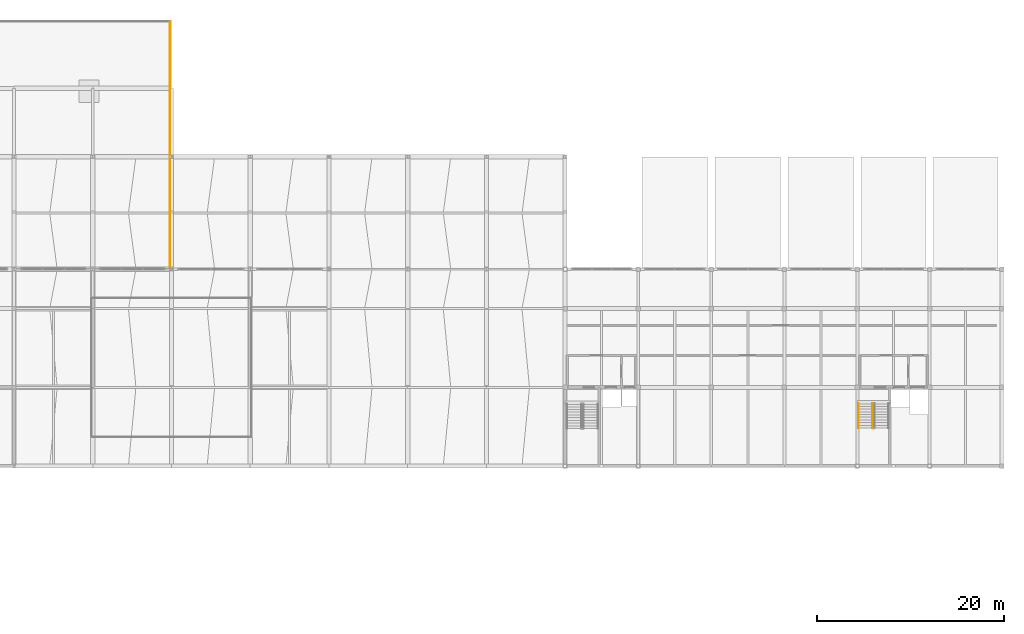
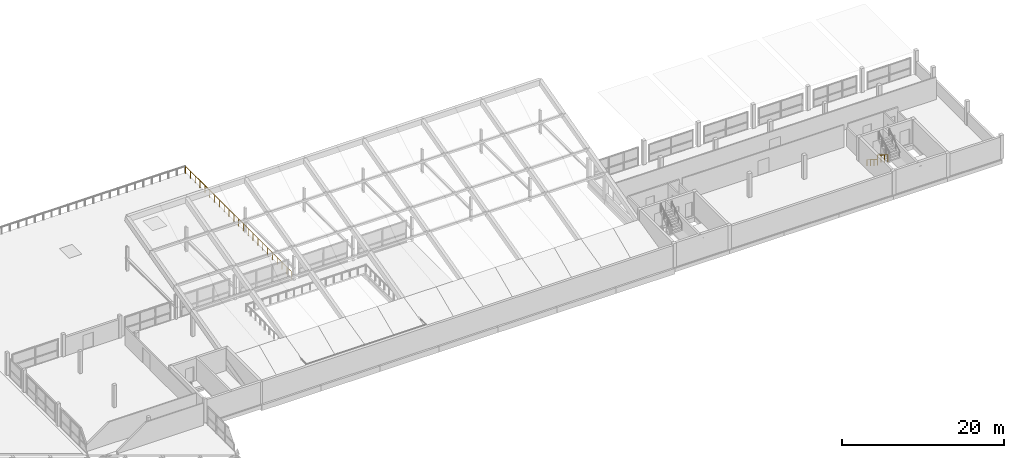
# One storey, part 49 of 51: 3 railings.
"""IFC4 building model written with IfcOpenShell, lengths in metres."""

from ifc_helpers import new_model, si_unit, direction, frame, origin, origin_2d, place, context, subcontext, project, spatial, circle, extrude, material, type_object, element, save


model = new_model("IFC4")

# Units and contexts
model_context = context("Model", 3, precision=1e-05, world=origin(), true_north=direction((0.0, 1.0)))
body_context = subcontext(model_context, "Body", "Model", "MODEL_VIEW")
ifc_project = project(units=[si_unit("LENGTHUNIT", "METRE"), si_unit("AREAUNIT", "SQUARE_METRE"), si_unit("VOLUMEUNIT", "CUBIC_METRE"), si_unit("PLANEANGLEUNIT", "RADIAN"), si_unit("MASSUNIT", "GRAM", prefix="KILO")], contexts=[model_context])

# Site, building, storey
site_placement = place(None, origin())
site = spatial("IfcSite", under=ifc_project, at=site_placement, CompositionType="ELEMENT")
building_placement = place(site_placement, origin())
building = spatial("IfcBuilding", under=site, at=building_placement, Name="Vharandega Faculty of Natural Sciences", CompositionType="ELEMENT")
storey_placement = place(building_placement, frame((0.0, 0.0, 18.0)))
storey = spatial("IfcBuildingStorey", under=building, at=storey_placement, Name="L04", CompositionType="ELEMENT", Elevation=18.0)

# Railings
ifc_material_1 = material(Name="Brushed stainless steel handrail", Category="steel")
railing_type_1 = type_object("IfcRailingType", Name="Stair Tubular Handrail 900", PredefinedType="HANDRAIL", material=ifc_material_1)
railing_1_placement = place(storey_placement, frame((146.110107421875, 70.659912109375, 0.179931640625)))
element("IfcRailing", 1, at=railing_1_placement, inside=storey, type_object=railing_type_1, Name="L04 ST2 stair handrail 1", PredefinedType="HANDRAIL", context=body_context, shape_type="SweptSolid", body=[
    extrude(circle(Radius=0.02392578125, at=origin_2d()), frame((0.0, 0.0, 0.8759765625), z_axis=(0.0, -0.849610693518, 0.52741034258), x_axis=(1.0, 0.0, 0.0)), (0.0, 0.0, 1.0), 3.07177734375),
    extrude(circle(Radius=0.02099609375, at=origin_2d()), origin(), (0.0, 0.0, 1.0), 0.851806640625),
    extrude(circle(Radius=0.02099609375, at=origin_2d()), frame((0.0, -0.869873046875, 0.5400390625)), (0.0, 0.0, 1.0), 0.851806640625),
    extrude(circle(Radius=0.02099609375, at=origin_2d()), frame((0.0, -1.739990234375, 1.080078125)), (0.0, 0.0, 1.0), 0.851806640625),
    extrude(circle(Radius=0.02099609375, at=origin_2d()), frame((0.0, -2.60986328125, 1.6201171875)), (0.0, 0.0, 1.0), 0.851806640625),
])
ifc_material_2 = material(Name="Painted steel stair guardrail", Category="steel")
railing_type_2 = type_object("IfcRailingType", Name="Stairwell Steel Guardrail 1100", PredefinedType="GUARDRAIL", material=ifc_material_2)
railing_2_placement = place(storey_placement, frame((147.610107421875, 70.659912109375, 0.179931640625)))
element("IfcRailing", 2, at=railing_2_placement, inside=storey, type_object=railing_type_2, Name="L04 ST2 stair guard 1", PredefinedType="GUARDRAIL", context=body_context, shape_type="SweptSolid", body=[
    extrude(circle(Radius=0.02392578125, at=origin_2d()), frame((0.0, 0.0, 1.076171875), z_axis=(0.0, -0.849610693518, 0.52741034258), x_axis=(1.0, 0.0, 0.0)), (0.0, 0.0, 1.0), 3.07177734375),
    extrude(circle(Radius=0.02099609375, at=origin_2d()), origin(), (0.0, 0.0, 1.0), 1.052001953125),
    extrude(circle(Radius=0.02099609375, at=origin_2d()), frame((0.0, -0.869873046875, 0.5400390625)), (0.0, 0.0, 1.0), 1.052001953125),
    extrude(circle(Radius=0.02099609375, at=origin_2d()), frame((0.0, -1.739990234375, 1.080078125)), (0.0, 0.0, 1.0), 1.052001953125),
    extrude(circle(Radius=0.02099609375, at=origin_2d()), frame((0.0, -2.60986328125, 1.6201171875)), (0.0, 0.0, 1.0), 1.052001953125),
])
ifc_material_3 = material(Name="Galvanised painted steel balustrade", Category="steel")
railing_type_3 = type_object("IfcRailingType", Name="Terrace Steel Guardrail 1100", PredefinedType="GUARDRAIL", material=ifc_material_3)
railing_3_placement = place(storey_placement, frame((72.64990234375, 111.425048828125, 0.0)))
element("IfcRailing", 3, at=railing_3_placement, inside=storey, type_object=railing_type_3, Name="Guardrail L04 #4", PredefinedType="GUARDRAIL", context=body_context, shape_type="SweptSolid", body=[
    extrude(circle(Radius=0.02392578125, at=origin_2d()), frame((0.0, 0.0, 1.076171875), z_axis=(0.0, -1.0, 0.0), x_axis=(1.0, 0.0, 0.0)), (0.0, 0.0, 1.0), 26.199951171875),
    extrude(circle(Radius=0.02099609375, at=origin_2d()), origin(), (0.0, 0.0, 1.0), 1.052001953125),
    extrude(circle(Radius=0.02099609375, at=origin_2d()), frame((0.0, -1.19091796875, 0.0)), (0.0, 0.0, 1.0), 1.052001953125),
    extrude(circle(Radius=0.02099609375, at=origin_2d()), frame((0.0, -2.3818359375, 0.0)), (0.0, 0.0, 1.0), 1.052001953125),
    extrude(circle(Radius=0.02099609375, at=origin_2d()), frame((0.0, -3.57275390625, 0.0)), (0.0, 0.0, 1.0), 1.052001953125),
    extrude(circle(Radius=0.02099609375, at=origin_2d()), frame((0.0, -4.763671875, 0.0)), (0.0, 0.0, 1.0), 1.052001953125),
    extrude(circle(Radius=0.02099609375, at=origin_2d()), frame((0.0, -5.95458984375, 0.0)), (0.0, 0.0, 1.0), 1.052001953125),
    extrude(circle(Radius=0.02099609375, at=origin_2d()), frame((0.0, -7.1455078125, 0.0)), (0.0, 0.0, 1.0), 1.052001953125),
    extrude(circle(Radius=0.02099609375, at=origin_2d()), frame((0.0, -8.33642578125, 0.0)), (0.0, 0.0, 1.0), 1.052001953125),
    extrude(circle(Radius=0.02099609375, at=origin_2d()), frame((0.0, -9.52734375, 0.0)), (0.0, 0.0, 1.0), 1.052001953125),
    extrude(circle(Radius=0.02099609375, at=origin_2d()), frame((0.0, -10.71826171875, 0.0)), (0.0, 0.0, 1.0), 1.052001953125),
    extrude(circle(Radius=0.02099609375, at=origin_2d()), frame((0.0, -11.9091796875, 0.0)), (0.0, 0.0, 1.0), 1.052001953125),
    extrude(circle(Radius=0.02099609375, at=origin_2d()), frame((0.0, -13.10009765625, 0.0)), (0.0, 0.0, 1.0), 1.052001953125),
    extrude(circle(Radius=0.02099609375, at=origin_2d()), frame((0.0, -14.290771484375, 0.0)), (0.0, 0.0, 1.0), 1.052001953125),
    extrude(circle(Radius=0.02099609375, at=origin_2d()), frame((0.0, -15.481689453125, 0.0)), (0.0, 0.0, 1.0), 1.052001953125),
    extrude(circle(Radius=0.02099609375, at=origin_2d()), frame((0.0, -16.672607421875, 0.0)), (0.0, 0.0, 1.0), 1.052001953125),
    extrude(circle(Radius=0.02099609375, at=origin_2d()), frame((0.0, -17.863525390625, 0.0)), (0.0, 0.0, 1.0), 1.052001953125),
    extrude(circle(Radius=0.02099609375, at=origin_2d()), frame((0.0, -19.054443359375, 0.0)), (0.0, 0.0, 1.0), 1.052001953125),
    extrude(circle(Radius=0.02099609375, at=origin_2d()), frame((0.0, -20.245361328125, 0.0)), (0.0, 0.0, 1.0), 1.052001953125),
    extrude(circle(Radius=0.02099609375, at=origin_2d()), frame((0.0, -21.436279296875, 0.0)), (0.0, 0.0, 1.0), 1.052001953125),
    extrude(circle(Radius=0.02099609375, at=origin_2d()), frame((0.0, -22.627197265625, 0.0)), (0.0, 0.0, 1.0), 1.052001953125),
    extrude(circle(Radius=0.02099609375, at=origin_2d()), frame((0.0, -23.818115234375, 0.0)), (0.0, 0.0, 1.0), 1.052001953125),
    extrude(circle(Radius=0.02099609375, at=origin_2d()), frame((0.0, -25.009033203125, 0.0)), (0.0, 0.0, 1.0), 1.052001953125),
    extrude(circle(Radius=0.02099609375, at=origin_2d()), frame((0.0, -26.199951171875, 0.0)), (0.0, 0.0, 1.0), 1.052001953125),
])

save(model, "model.ifc")
